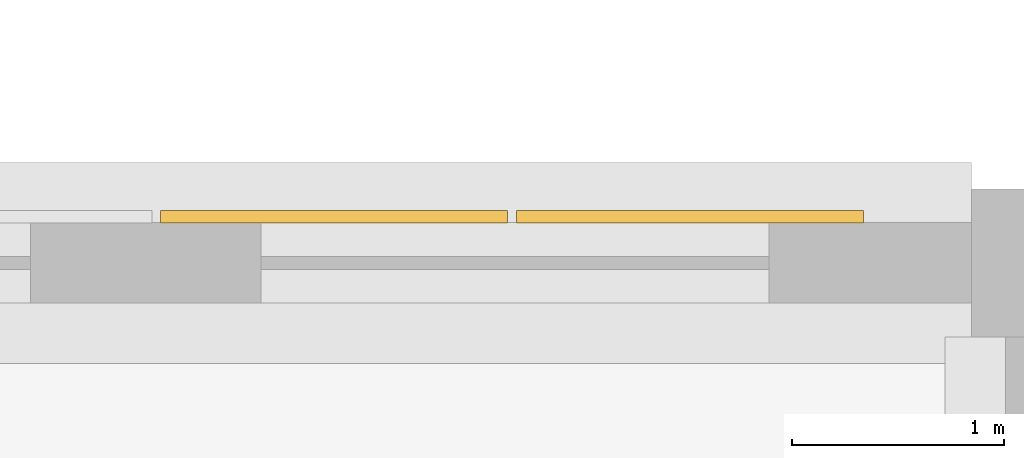
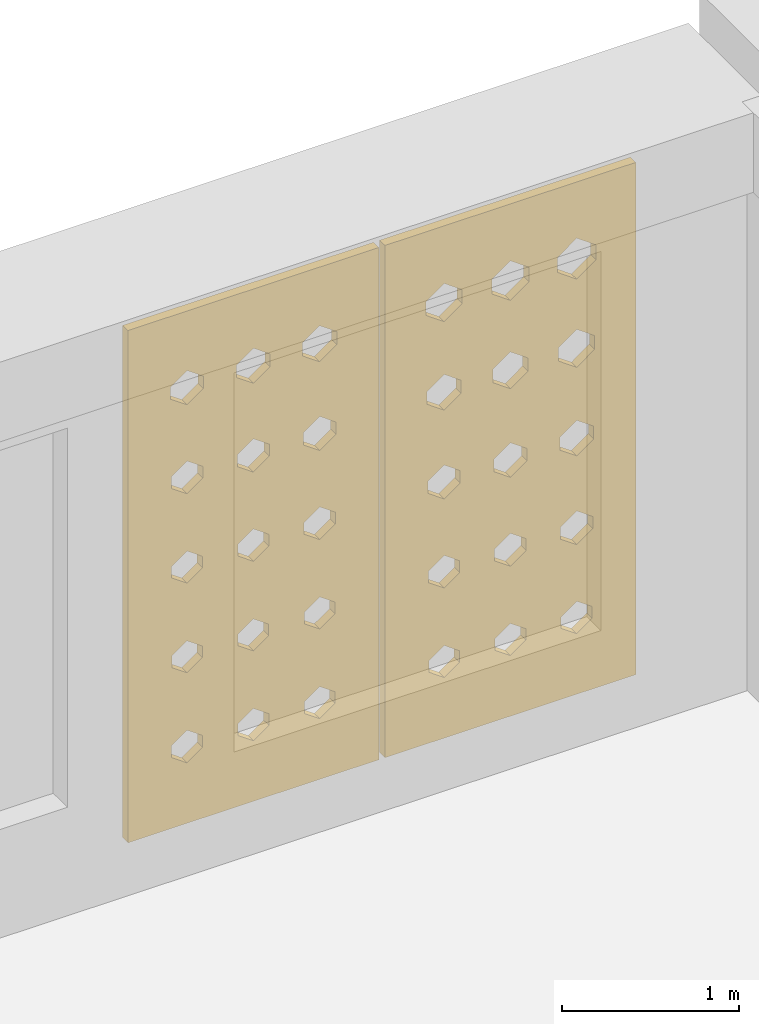
# One storey, part 47 of 47: 2 coverings.
"""IFC4 building model written with IfcOpenShell, lengths in metres."""

from ifc_helpers import new_model, si_unit, derived_unit, direction, frame, origin, place, context, subcontext, project, spatial, polyline, outline, extrude, material, layer, layer_set, type_object, element, save


model = new_model("IFC4")

# Units and contexts
model_context = context("Model", 3, precision=1e-05, world=origin(), true_north=direction((0.0, 1.0)))
body_context = subcontext(model_context, "Body", "Model", "MODEL_VIEW")
ifc_project = project(units=[si_unit("LENGTHUNIT", "METRE"), si_unit("AREAUNIT", "SQUARE_METRE"), si_unit("VOLUMEUNIT", "CUBIC_METRE"), si_unit("PLANEANGLEUNIT", "RADIAN"), si_unit("MASSUNIT", "GRAM", prefix="KILO"), derived_unit("THERMALTRANSMITTANCEUNIT", [(si_unit("POWERUNIT", "WATT"), 1), (si_unit("LENGTHUNIT", "METRE"), -2), (si_unit("THERMODYNAMICTEMPERATUREUNIT", "KELVIN"), -1)])], contexts=[model_context])

# Site, building, storey
site_placement = place(None, origin())
site = spatial("IfcSite", under=ifc_project, at=site_placement, CompositionType="ELEMENT")
building_placement = place(site_placement, origin())
building = spatial("IfcBuilding", under=site, at=building_placement, Name="Veybourne Emporium", CompositionType="ELEMENT")
storey_placement = place(building_placement, frame((0.0, 0.0, 23.39990234375)))
storey = spatial("IfcBuildingStorey", under=building, at=storey_placement, Name="L05", CompositionType="ELEMENT", Elevation=23.39990234375)

# Coverings
ifc_material = material(Name="Warm-White Perforated Aluminium Screen Alloy", Category="aluminium")
ifc_layer_1 = layer(ifc_material, 0.06005859375)
ifc_layer_set_1 = layer_set([ifc_layer_1], Name="Warm-White Perforated Aluminium Screen Alloy")
covering_type_1 = type_object("IfcCoveringType", Name="WaveScreen_SCR-01", PredefinedType="CLADDING", material=ifc_layer_set_1)
covering_1_placement = place(storey_placement, frame((97.43994140625, 65.048095703125, 1.830078125), z_axis=(0.0, -1.0, 0.0), x_axis=(1.0, 0.0, 0.0)))
element("IfcCovering", 1, at=covering_1_placement, inside=storey, type_object=covering_type_1, Name="L05 wave-perforated aluminium screen SCR-01 (56.3)", PredefinedType="CLADDING", context=body_context, shape_type="SweptSolid", body=[
    extrude(outline(polyline([(-0.81982421875, -1.77001953125), (0.81982421875, -1.77001953125), (0.81982421875, 1.77001953125), (-0.81982421875, 1.77001953125), (-0.81982421875, -1.77001953125)]), holes=[polyline([(-0.433349609375, -1.12744140625), (-0.331298828125, -1.199462890625), (-0.331298828125, -1.280517578125), (-0.433349609375, -1.3525390625), (-0.535400390625, -1.280517578125), (-0.535400390625, -1.199462890625), (-0.433349609375, -1.12744140625)]), polyline([(-0.433349609375, -0.509765625), (-0.333251953125, -0.580322265625), (-0.333251953125, -0.65966796875), (-0.433349609375, -0.730224609375), (-0.533447265625, -0.65966796875), (-0.533447265625, -0.580322265625), (-0.433349609375, -0.509765625)]), polyline([(-0.433349609375, 0.1103515625), (-0.3330078125, 0.039794921875), (-0.3330078125, -0.039794921875), (-0.433349609375, -0.1103515625), (-0.53369140625, -0.039794921875), (-0.53369140625, 0.039794921875), (-0.433349609375, 0.1103515625)]), polyline([(-0.433349609375, 0.733154296875), (-0.330810546875, 0.66064453125), (-0.330810546875, 0.579345703125), (-0.433349609375, 0.5068359375), (-0.535888671875, 0.579345703125), (-0.535888671875, 0.66064453125), (-0.433349609375, 0.733154296875)]), polyline([(-0.433349609375, 1.358154296875), (-0.32666015625, 1.282470703125), (-0.32666015625, 1.197509765625), (-0.433349609375, 1.121826171875), (-0.5400390625, 1.197509765625), (-0.5400390625, 1.282470703125), (-0.433349609375, 1.358154296875)]), polyline([(0.0, -1.12890625), (0.10107421875, -1.199951171875), (0.10107421875, -1.280029296875), (0.0, -1.351318359375), (-0.10107421875, -1.280029296875), (-0.10107421875, -1.199951171875), (0.0, -1.12890625)]), polyline([(0.0, -0.510009765625), (0.10009765625, -0.580322265625), (0.10009765625, -0.65966796875), (0.0, -0.72998046875), (-0.10009765625, -0.65966796875), (-0.10009765625, -0.580322265625), (0.0, -0.510009765625)]), polyline([(0.0, 0.111328125), (0.10107421875, 0.0400390625), (0.10107421875, -0.0400390625), (0.0, -0.111328125), (-0.10107421875, -0.0400390625), (-0.10107421875, 0.0400390625), (0.0, 0.111328125)]), polyline([(0.0, 0.735107421875), (0.10400390625, 0.661376953125), (0.10400390625, 0.57861328125), (0.0, 0.5048828125), (-0.10400390625, 0.57861328125), (-0.10400390625, 0.661376953125), (0.0, 0.735107421875)]), polyline([(0.0, 1.361083984375), (0.109130859375, 1.28369140625), (0.109130859375, 1.1962890625), (0.0, 1.118896484375), (-0.109130859375, 1.1962890625), (-0.109130859375, 1.28369140625), (0.0, 1.361083984375)]), polyline([(0.433349609375, -1.129638671875), (0.53369140625, -1.2001953125), (0.53369140625, -1.27978515625), (0.433349609375, -1.350341796875), (0.3330078125, -1.27978515625), (0.3330078125, -1.2001953125), (0.433349609375, -1.129638671875)]), polyline([(0.433349609375, -0.509765625), (0.53369140625, -0.580322265625), (0.53369140625, -0.65966796875), (0.433349609375, -0.730224609375), (0.3330078125, -0.65966796875), (0.3330078125, -0.580322265625), (0.433349609375, -0.509765625)]), polyline([(0.433349609375, 0.11279296875), (0.535400390625, 0.04052734375), (0.535400390625, -0.04052734375), (0.433349609375, -0.11279296875), (0.3310546875, -0.04052734375), (0.3310546875, 0.04052734375), (0.433349609375, 0.11279296875)]), polyline([(0.433349609375, 0.737548828125), (0.53955078125, 0.662353515625), (0.53955078125, 0.57763671875), (0.433349609375, 0.50244140625), (0.3271484375, 0.57763671875), (0.3271484375, 0.662353515625), (0.433349609375, 0.737548828125)]), polyline([(0.433349609375, 1.364501953125), (0.54541015625, 1.284912109375), (0.54541015625, 1.195068359375), (0.433349609375, 1.115478515625), (0.3212890625, 1.195068359375), (0.3212890625, 1.284912109375), (0.433349609375, 1.364501953125)])]), origin(), (0.0, 0.0, 1.0), 0.06005859375),
])
ifc_layer_2 = layer(ifc_material, 0.06005859375)
ifc_layer_set_2 = layer_set([ifc_layer_2], Name="Warm-White Perforated Aluminium Screen Alloy")
covering_type_2 = type_object("IfcCoveringType", Name="WaveScreen_SCR-02", PredefinedType="CLADDING", material=ifc_layer_set_2)
covering_2_placement = place(storey_placement, frame((99.1201171875, 65.048095703125, 1.830078125), z_axis=(0.0, -1.0, 0.0), x_axis=(1.0, 0.0, 0.0)))
element("IfcCovering", 2, at=covering_2_placement, inside=storey, type_object=covering_type_2, Name="L05 wave-perforated aluminium screen SCR-02 (56.4)", PredefinedType="CLADDING", context=body_context, shape_type="SweptSolid", body=[
    extrude(outline(polyline([(-0.81982421875, -1.77001953125), (0.81982421875, -1.77001953125), (0.81982421875, 1.77001953125), (-0.81982421875, 1.77001953125), (-0.81982421875, -1.77001953125)]), holes=[polyline([(-0.433349609375, -1.1298828125), (-0.333251953125, -1.200439453125), (-0.333251953125, -1.279541015625), (-0.433349609375, -1.35009765625), (-0.533447265625, -1.279541015625), (-0.533447265625, -1.200439453125), (-0.433349609375, -1.1298828125)]), polyline([(-0.433349609375, -0.5078125), (-0.33154296875, -0.57958984375), (-0.33154296875, -0.660400390625), (-0.433349609375, -0.732177734375), (-0.53515625, -0.660400390625), (-0.53515625, -0.57958984375), (-0.433349609375, -0.5078125)]), polyline([(-0.433349609375, 0.11669921875), (-0.327880859375, 0.0419921875), (-0.327880859375, -0.0419921875), (-0.433349609375, -0.11669921875), (-0.538818359375, -0.0419921875), (-0.538818359375, 0.0419921875), (-0.433349609375, 0.11669921875)]), polyline([(-0.433349609375, 0.743408203125), (-0.322509765625, 0.664306640625), (-0.322509765625, 0.57568359375), (-0.433349609375, 0.49658203125), (-0.544189453125, 0.57568359375), (-0.544189453125, 0.664306640625), (-0.433349609375, 0.743408203125)]), polyline([(-0.433349609375, 1.3720703125), (-0.315185546875, 1.28759765625), (-0.315185546875, 1.1923828125), (-0.433349609375, 1.10791015625), (-0.551513671875, 1.1923828125), (-0.551513671875, 1.28759765625), (-0.433349609375, 1.3720703125)]), polyline([(0.0, -1.12939453125), (0.1005859375, -1.2001953125), (0.1005859375, -1.27978515625), (0.0, -1.3505859375), (-0.1005859375, -1.27978515625), (-0.1005859375, -1.2001953125), (0.0, -1.12939453125)]), polyline([(0.0, -0.506103515625), (0.103271484375, -0.5791015625), (0.103271484375, -0.660888671875), (0.0, -0.73388671875), (-0.103271484375, -0.660888671875), (-0.103271484375, -0.5791015625), (0.0, -0.506103515625)]), polyline([(0.0, 0.119384765625), (0.107666015625, 0.04296875), (0.107666015625, -0.04296875), (0.0, -0.119384765625), (-0.107666015625, -0.04296875), (-0.107666015625, 0.04296875), (0.0, 0.119384765625)]), polyline([(0.0, 0.7470703125), (0.114013671875, 0.665771484375), (0.114013671875, 0.57421875), (0.0, 0.492919921875), (-0.114013671875, 0.57421875), (-0.114013671875, 0.665771484375), (0.0, 0.7470703125)]), polyline([(0.0, 1.376708984375), (0.121826171875, 1.289306640625), (0.121826171875, 1.19091796875), (0.0, 1.103271484375), (-0.121826171875, 1.19091796875), (-0.121826171875, 1.289306640625), (0.0, 1.376708984375)]), polyline([(0.433349609375, -1.128173828125), (0.534912109375, -1.19970703125), (0.534912109375, -1.2802734375), (0.433349609375, -1.351806640625), (0.331787109375, -1.2802734375), (0.331787109375, -1.19970703125), (0.433349609375, -1.128173828125)]), polyline([(0.433349609375, -0.50390625), (0.538330078125, -0.578125), (0.538330078125, -0.661865234375), (0.433349609375, -0.736083984375), (0.328369140625, -0.661865234375), (0.328369140625, -0.578125), (0.433349609375, -0.50390625)]), polyline([(0.433349609375, 0.12255859375), (0.543701171875, 0.044189453125), (0.543701171875, -0.044189453125), (0.433349609375, -0.12255859375), (0.322998046875, -0.044189453125), (0.322998046875, 0.044189453125), (0.433349609375, 0.12255859375)]), polyline([(0.433349609375, 0.751220703125), (0.550537109375, 0.667236328125), (0.550537109375, 0.57275390625), (0.433349609375, 0.48876953125), (0.31591796875, 0.57275390625), (0.31591796875, 0.667236328125), (0.433349609375, 0.751220703125)]), polyline([(0.433349609375, 1.381591796875), (0.55908203125, 1.291015625), (0.55908203125, 1.18896484375), (0.433349609375, 1.098388671875), (0.3076171875, 1.18896484375), (0.3076171875, 1.291015625), (0.433349609375, 1.381591796875)])]), origin(), (0.0, 0.0, 1.0), 0.06005859375),
])

save(model, "model.ifc")
